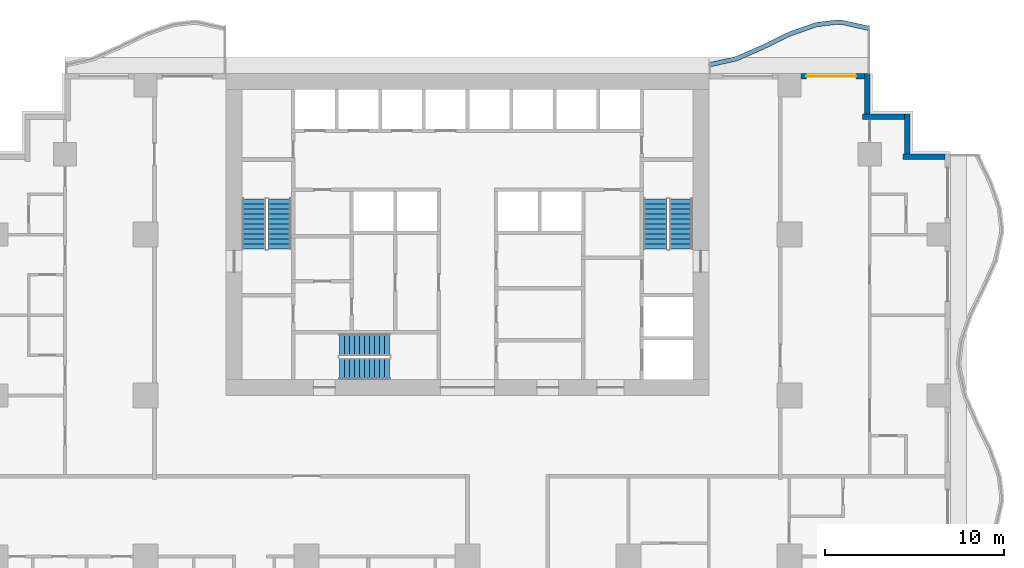
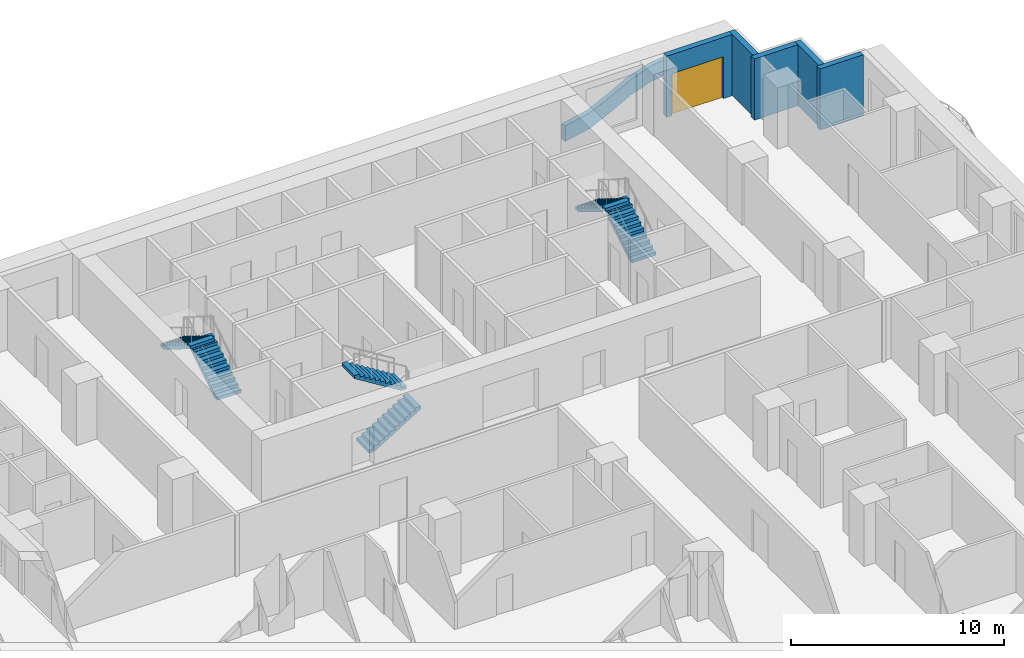
# One storey, part 7 of 14: 6 stair flights, 6 walls, 1 door, 1 opening, 3 elements without a shape of their own.
"""IFC4 building model written with IfcOpenShell, lengths in metres."""

from ifc_helpers import new_model, si_unit, direction, frame, frame_2d, origin, place, context, subcontext, project, spatial, polyline, rectangle, outline, extrude, material, layer, layer_set, type_object, element, fill, aggregate, save


model = new_model("IFC4")

# Units and contexts
model_context = context("Model", 3, precision=1e-05, world=origin(), true_north=direction((0.0, 1.0)))
body_context = subcontext(model_context, "Body", "Model", "MODEL_VIEW")
ifc_project = project(units=[si_unit("LENGTHUNIT", "METRE"), si_unit("AREAUNIT", "SQUARE_METRE"), si_unit("VOLUMEUNIT", "CUBIC_METRE"), si_unit("PLANEANGLEUNIT", "RADIAN"), si_unit("MASSUNIT", "GRAM", prefix="KILO")], contexts=[model_context])

# Site, building, storey
site_placement = place(None, origin())
site = spatial("IfcSite", under=ifc_project, at=site_placement, CompositionType="ELEMENT")
building_placement = place(site_placement, origin())
building = spatial("IfcBuilding", under=site, at=building_placement, Name="Orbiselva Terraces", CompositionType="ELEMENT")
storey_placement = place(building_placement, frame((0.0, 0.0, 80.8)))
storey = spatial("IfcBuildingStorey", under=building, at=storey_placement, Name="L20", CompositionType="ELEMENT", Elevation=80.8)

# Walls
ifc_material_1 = material(Name="Concrete C40/50", Category="concrete")
ifc_layer_1 = layer(ifc_material_1, 0.25)
ifc_layer_set_1 = layer_set([ifc_layer_1], Name="Concrete C40/50")
wall_type_1 = type_object("IfcWallType", Name="ENV-PLANTER-250x900", PredefinedType="USERDEFINED", material=ifc_layer_set_1)
wall_1_placement = place(storey_placement, origin())
element("IfcWall", 1, at=wall_1_placement, inside=storey, type_object=wall_type_1, Name="Balcony planter L20 NE", ObjectType="PLANTER", PredefinedType="USERDEFINED", context=body_context, shape_type="SweptSolid", body=[
    extrude(outline(polyline([(22.5, 25.148528), (21.0, 25.485226), (20.625, 25.5), (19.5, 25.369208), (18.0, 24.844789), (16.5, 24.112279), (15.0, 23.451472), (13.5, 23.114774), (13.554754, 22.870844), (15.078508, 23.212874), (16.605286, 23.885477), (18.09644, 24.613667), (19.556371, 25.124078), (20.634572, 25.249429), (20.967435, 25.236315), (22.445246, 24.904598), (22.5, 25.148528)])), origin(), (0.0, 0.0, 1.0), 0.9),
])
ifc_material_2 = material(Name="Terracotta cladding on masonry backing", Category="masonry")
ifc_layer_2 = layer(ifc_material_2, 0.3)
ifc_layer_set_2 = layer_set([ifc_layer_2], Name="Terracotta cladding on masonry backing")
wall_type_2 = type_object("IfcWallType", Name="ENV-WALL-TERRACOTTA-300", PredefinedType="SOLIDWALL", material=ifc_layer_set_2)
wall_2_placement = place(storey_placement, frame((24.35, 17.85, 0.0), z_axis=(0.0, 0.0, 1.0), x_axis=(1.0, 0.0, 0.0)))
element("IfcWall", 2, at=wall_2_placement, inside=storey, type_object=wall_type_2, Name="Facade wall L20 STEP", PredefinedType="SOLIDWALL", context=body_context, shape_type="SweptSolid", body=[
    extrude(rectangle(XDim=2.35, YDim=0.3, at=frame_2d((1.175, 0.0))), origin(), (0.0, 0.0, 1.0), 3.5),
])
wall_3_placement = place(storey_placement, frame((24.6, 20.25, 0.0), z_axis=(0.0, 0.0, 1.0), x_axis=(0.0, -1.0, 0.0)))
element("IfcWall", 3, at=wall_3_placement, inside=storey, type_object=wall_type_2, Name="Facade wall L20 STEP", PredefinedType="SOLIDWALL", context=body_context, shape_type="SweptSolid", body=[
    extrude(rectangle(XDim=2.25, YDim=0.3, at=frame_2d((1.125, 0.0))), origin(), (0.0, 0.0, 1.0), 3.5),
])
wall_4_placement = place(storey_placement, frame((22.1, 20.1, 0.0), z_axis=(0.0, 0.0, 1.0), x_axis=(1.0, 0.0, 0.0)))
element("IfcWall", 4, at=wall_4_placement, inside=storey, type_object=wall_type_2, Name="Facade wall L20 STEP", PredefinedType="SOLIDWALL", context=body_context, shape_type="SweptSolid", body=[
    extrude(rectangle(XDim=2.35, YDim=0.3, at=frame_2d((1.175, 0.0))), origin(), (0.0, 0.0, 1.0), 3.5),
])
wall_5_placement = place(storey_placement, frame((22.35, 22.5, 0.0), z_axis=(0.0, 0.0, 1.0), x_axis=(0.0, -1.0, 0.0)))
element("IfcWall", 5, at=wall_5_placement, inside=storey, type_object=wall_type_2, Name="Facade wall L20 STEP", PredefinedType="SOLIDWALL", context=body_context, shape_type="SweptSolid", body=[
    extrude(rectangle(XDim=2.25, YDim=0.3, at=frame_2d((1.125, 0.0))), origin(), (0.0, 0.0, 1.0), 3.5),
])

# Wall, opening, door
wall_6_placement = place(storey_placement, frame((18.65, 22.35, 0.0), z_axis=(0.0, 0.0, 1.0), x_axis=(1.0, 0.0, 0.0)))
wall_6 = element("IfcWall", 6, at=wall_6_placement, inside=storey, type_object=wall_type_2, Name="Facade wall L20 NE", PredefinedType="SOLIDWALL", context=body_context, shape_type="SweptSolid", body=[
    extrude(rectangle(XDim=3.55, YDim=0.3, at=frame_2d((1.775, 0.0))), origin(), (0.0, 0.0, 1.0), 3.5),
])
opening_placement = place(wall_6_placement, frame((0.3, 0.0, 0.0)))
opening = element("IfcOpeningElement", 7, at=opening_placement, cuts=wall_6, Name="Opening Z2-B-E09", PredefinedType="OPENING", context=body_context, shape_type="SweptSolid", body=[
    extrude(rectangle(XDim=2.775, YDim=2.4, at=frame_2d((1.3875, 1.2))), frame((0.0, 0.16, 0.0), z_axis=(0.0, -1.0, 0.0), x_axis=(1.0, 0.0, 0.0)), (0.0, 0.0, 1.0), 0.32),
])
ifc_material_3 = material(Name="Clear low-e glazing in aluminium frame", Category="aluminium")
door_type = type_object("IfcDoorType", Name="BALCONY DOOR 2775 X 2400", OperationType="DOUBLE_DOOR_SLIDING", PredefinedType="DOOR", material=ifc_material_3)
door_placement = place(opening_placement, origin())
door = element("IfcDoor", 8, at=door_placement, inside=storey, type_object=door_type, Name="Z2-B-E09", OperationType="SINGLE_SWING_LEFT", OverallHeight=2.4, OverallWidth=2.775, PredefinedType="DOOR", context=body_context, shape_type="SweptSolid", body=[
    extrude(rectangle(XDim=2.775, YDim=2.4, at=frame_2d((1.3875, 1.2))), frame((0.0, 0.025, 0.0), z_axis=(0.0, -1.0, 0.0), x_axis=(1.0, 0.0, 0.0)), (0.0, 0.0, 1.0), 0.05),
])
fill(opening, door)

# Stair, stair flights
stair_type_1 = type_object("IfcStairType", Name="CORE-STAIR-1200", PredefinedType="HALF_TURN_STAIR", material=ifc_material_1)
stair_1_placement = place(storey_placement, origin())
stair_1 = element("IfcStair", 9, at=stair_1_placement, inside=storey, type_object=stair_type_1, Name="L20 Exit Stair S3", PredefinedType="HALF_TURN_STAIR")
stair_flight_type_1 = type_object("IfcStairFlightType", Name="CORE-STAIR-FLIGHT-1200", PredefinedType="STRAIGHT", material=ifc_material_1)
stair_flight_1_placement = place(storey_placement, frame((-7.15, 6.0, 0.0), z_axis=(0.0, 0.0, 1.0), x_axis=(1.0, 0.0, 0.0)))
stair_flight_1 = element("IfcStairFlight", 10, at=stair_flight_1_placement, type_object=stair_flight_type_1, Name="S3 flight 1", NumberOfRisers=11, NumberOfTreads=10, PredefinedType="STRAIGHT", RiserHeight=0.172727273, TreadLength=0.28, context=body_context, shape_type="SweptSolid", body=[
    extrude(outline(polyline([(0.0, 0.0), (0.0, 0.172727), (0.28, 0.172727), (0.28, 0.345455), (0.56, 0.345455), (0.56, 0.518182), (0.84, 0.518182), (0.84, 0.690909), (1.12, 0.690909), (1.12, 0.863636), (1.4, 0.863636), (1.4, 1.036364), (1.68, 1.036364), (1.68, 1.209091), (1.96, 1.209091), (1.96, 1.381818), (2.24, 1.381818), (2.24, 1.554545), (2.52, 1.554545), (2.52, 1.727273), (2.8, 1.727273), (2.8, 1.9), (2.8, 1.551028), (0.285702, 0.0), (0.0, 0.0)])), frame((0.0, 0.6, 0.0), z_axis=(0.0, -1.0, 0.0), x_axis=(1.0, 0.0, 0.0)), (0.0, 0.0, 1.0), 1.2),
])
stair_flight_2_placement = place(storey_placement, frame((-4.35, 7.35, 1.9), z_axis=(0.0, 0.0, 1.0), x_axis=(-1.0, 0.0, 0.0)))
stair_flight_2 = element("IfcStairFlight", 11, at=stair_flight_2_placement, type_object=stair_flight_type_1, Name="S3 flight 2", NumberOfRisers=11, NumberOfTreads=10, PredefinedType="STRAIGHT", RiserHeight=0.172727273, TreadLength=0.28, context=body_context, shape_type="SweptSolid", body=[
    extrude(outline(polyline([(0.0, 0.0), (0.0, 0.172727), (0.28, 0.172727), (0.28, 0.345455), (0.56, 0.345455), (0.56, 0.518182), (0.84, 0.518182), (0.84, 0.690909), (1.12, 0.690909), (1.12, 0.863636), (1.4, 0.863636), (1.4, 1.036364), (1.68, 1.036364), (1.68, 1.209091), (1.96, 1.209091), (1.96, 1.381818), (2.24, 1.381818), (2.24, 1.554545), (2.52, 1.554545), (2.52, 1.727273), (2.8, 1.727273), (2.8, 1.9), (2.8, 1.551028), (0.285702, 0.0), (0.0, 0.0)])), frame((0.0, 0.6, 0.0), z_axis=(0.0, -1.0, 0.0), x_axis=(1.0, 0.0, 0.0)), (0.0, 0.0, 1.0), 1.2),
])
aggregate(stair_1, [stair_flight_1, stair_flight_2])

stair_type_2 = type_object("IfcStairType", Name="CORE-STAIR-1300", PredefinedType="HALF_TURN_STAIR", material=ifc_material_1)
stair_2_placement = place(storey_placement, origin())
stair_2 = element("IfcStair", 12, at=stair_2_placement, inside=storey, type_object=stair_type_2, Name="L20 Exit Stair S1", PredefinedType="HALF_TURN_STAIR")
stair_flight_type_2 = type_object("IfcStairFlightType", Name="CORE-STAIR-FLIGHT-1300", PredefinedType="STRAIGHT", material=ifc_material_1)
stair_flight_3_placement = place(storey_placement, frame((-10.5, 12.7, 0.0), z_axis=(0.0, 0.0, 1.0), x_axis=(0.0, 1.0, 0.0)))
stair_flight_3 = element("IfcStairFlight", 13, at=stair_flight_3_placement, type_object=stair_flight_type_2, Name="S1 flight 1", NumberOfRisers=11, NumberOfTreads=10, PredefinedType="STRAIGHT", RiserHeight=0.172727273, TreadLength=0.28, context=body_context, shape_type="SweptSolid", body=[
    extrude(outline(polyline([(0.0, 0.0), (0.0, 0.172727), (0.28, 0.172727), (0.28, 0.345455), (0.56, 0.345455), (0.56, 0.518182), (0.84, 0.518182), (0.84, 0.690909), (1.12, 0.690909), (1.12, 0.863636), (1.4, 0.863636), (1.4, 1.036364), (1.68, 1.036364), (1.68, 1.209091), (1.96, 1.209091), (1.96, 1.381818), (2.24, 1.381818), (2.24, 1.554545), (2.52, 1.554545), (2.52, 1.727273), (2.8, 1.727273), (2.8, 1.9), (2.8, 1.551028), (0.285702, 0.0), (0.0, 0.0)])), frame((0.0, 0.65, 0.0), z_axis=(0.0, -1.0, 0.0), x_axis=(1.0, 0.0, 0.0)), (0.0, 0.0, 1.0), 1.3),
])
stair_flight_4_placement = place(storey_placement, frame((-11.95, 15.5, 1.9), z_axis=(0.0, 0.0, 1.0), x_axis=(0.0, -1.0, 0.0)))
stair_flight_4 = element("IfcStairFlight", 14, at=stair_flight_4_placement, type_object=stair_flight_type_2, Name="S1 flight 2", NumberOfRisers=11, NumberOfTreads=10, PredefinedType="STRAIGHT", RiserHeight=0.172727273, TreadLength=0.28, context=body_context, shape_type="SweptSolid", body=[
    extrude(outline(polyline([(0.0, 0.0), (0.0, 0.172727), (0.28, 0.172727), (0.28, 0.345455), (0.56, 0.345455), (0.56, 0.518182), (0.84, 0.518182), (0.84, 0.690909), (1.12, 0.690909), (1.12, 0.863636), (1.4, 0.863636), (1.4, 1.036364), (1.68, 1.036364), (1.68, 1.209091), (1.96, 1.209091), (1.96, 1.381818), (2.24, 1.381818), (2.24, 1.554545), (2.52, 1.554545), (2.52, 1.727273), (2.8, 1.727273), (2.8, 1.9), (2.8, 1.551028), (0.285702, 0.0), (0.0, 0.0)])), frame((0.0, 0.65, 0.0), z_axis=(0.0, -1.0, 0.0), x_axis=(1.0, 0.0, 0.0)), (0.0, 0.0, 1.0), 1.3),
])
aggregate(stair_2, [stair_flight_3, stair_flight_4])

stair_3_placement = place(storey_placement, origin())
stair_3 = element("IfcStair", 15, at=stair_3_placement, inside=storey, type_object=stair_type_2, Name="L20 Exit Stair S2", PredefinedType="HALF_TURN_STAIR")
stair_flight_5_placement = place(storey_placement, frame((11.95, 12.7, 0.0), z_axis=(0.0, 0.0, 1.0), x_axis=(0.0, 1.0, 0.0)))
stair_flight_5 = element("IfcStairFlight", 16, at=stair_flight_5_placement, type_object=stair_flight_type_2, Name="S2 flight 1", NumberOfRisers=11, NumberOfTreads=10, PredefinedType="STRAIGHT", RiserHeight=0.172727273, TreadLength=0.28, context=body_context, shape_type="SweptSolid", body=[
    extrude(outline(polyline([(0.0, 0.0), (0.0, 0.172727), (0.28, 0.172727), (0.28, 0.345455), (0.56, 0.345455), (0.56, 0.518182), (0.84, 0.518182), (0.84, 0.690909), (1.12, 0.690909), (1.12, 0.863636), (1.4, 0.863636), (1.4, 1.036364), (1.68, 1.036364), (1.68, 1.209091), (1.96, 1.209091), (1.96, 1.381818), (2.24, 1.381818), (2.24, 1.554545), (2.52, 1.554545), (2.52, 1.727273), (2.8, 1.727273), (2.8, 1.9), (2.8, 1.551028), (0.285702, 0.0), (0.0, 0.0)])), frame((0.0, 0.65, 0.0), z_axis=(0.0, -1.0, 0.0), x_axis=(1.0, 0.0, 0.0)), (0.0, 0.0, 1.0), 1.3),
])
stair_flight_6_placement = place(storey_placement, frame((10.5, 15.5, 1.9), z_axis=(0.0, 0.0, 1.0), x_axis=(0.0, -1.0, 0.0)))
stair_flight_6 = element("IfcStairFlight", 17, at=stair_flight_6_placement, type_object=stair_flight_type_2, Name="S2 flight 2", NumberOfRisers=11, NumberOfTreads=10, PredefinedType="STRAIGHT", RiserHeight=0.172727273, TreadLength=0.28, context=body_context, shape_type="SweptSolid", body=[
    extrude(outline(polyline([(0.0, 0.0), (0.0, 0.172727), (0.28, 0.172727), (0.28, 0.345455), (0.56, 0.345455), (0.56, 0.518182), (0.84, 0.518182), (0.84, 0.690909), (1.12, 0.690909), (1.12, 0.863636), (1.4, 0.863636), (1.4, 1.036364), (1.68, 1.036364), (1.68, 1.209091), (1.96, 1.209091), (1.96, 1.381818), (2.24, 1.381818), (2.24, 1.554545), (2.52, 1.554545), (2.52, 1.727273), (2.8, 1.727273), (2.8, 1.9), (2.8, 1.551028), (0.285702, 0.0), (0.0, 0.0)])), frame((0.0, 0.65, 0.0), z_axis=(0.0, -1.0, 0.0), x_axis=(1.0, 0.0, 0.0)), (0.0, 0.0, 1.0), 1.3),
])
aggregate(stair_3, [stair_flight_5, stair_flight_6])

save(model, "model.ifc")
